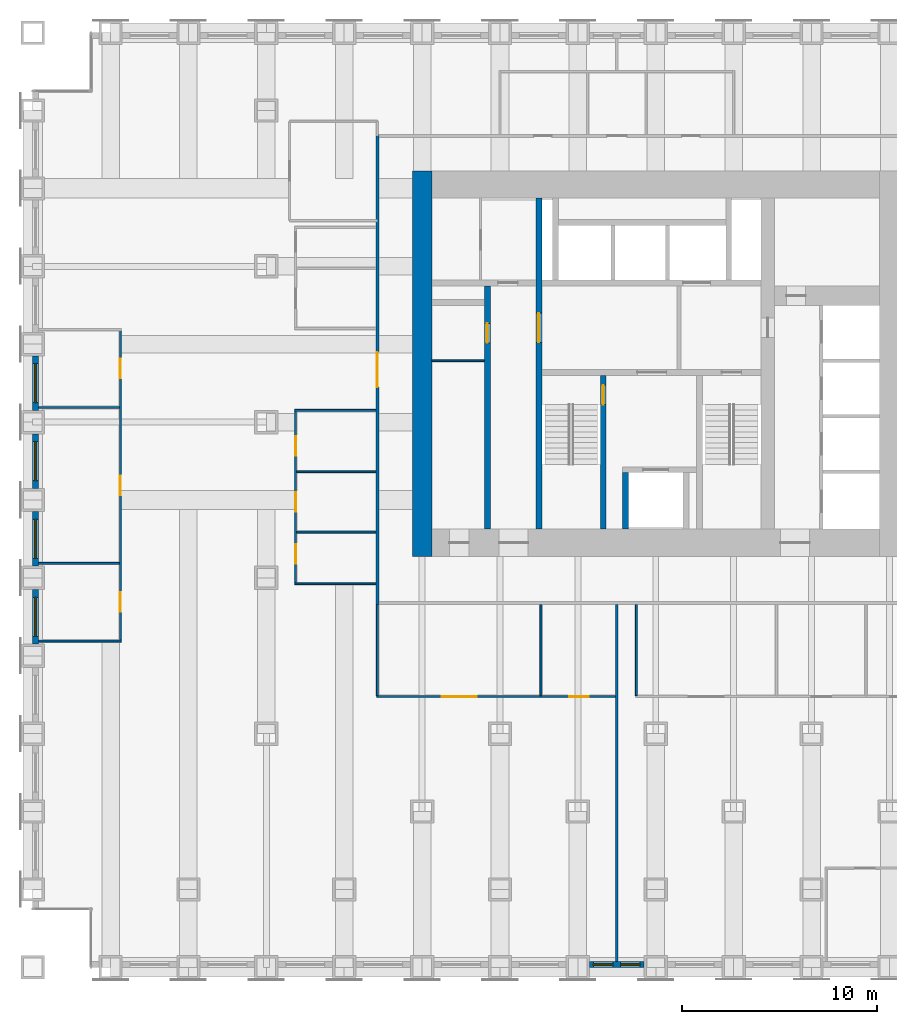
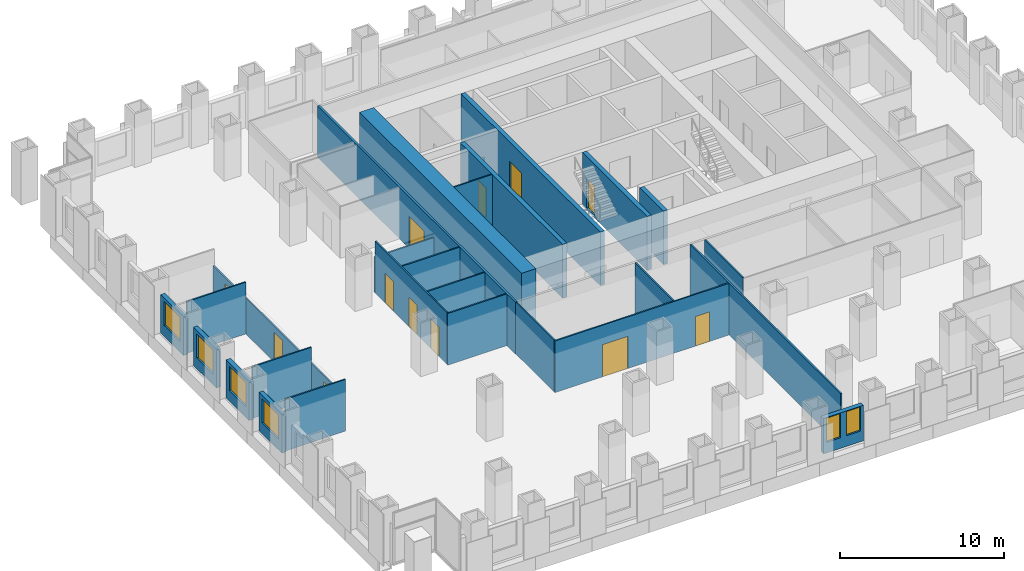
# One storey, part 9 of 15: 26 walls, 12 doors, 6 windows, 18 openings.
"""IFC4 building model written with IfcOpenShell, lengths in metres."""

import ifcopenshell
import ifcopenshell.guid

model = None  # the IFC model being written
_history = None  # IfcOwnerHistory: only IFC2X3 demands one
_inside = {}  # id of a spatial element -> (the spatial element, [elements in it])
_under = {}  # id of a project, library or spatial element -> (it, [spatial elements below it])
_declared = {}  # id of a project -> (the project, [libraries it declares])
_typed = {}  # id of a type object -> (the type object, [elements of that type])
_made_of = {}  # id of a material, layer set ... -> (it, [elements and type objects made of it])


def new_model(schema):
    """Start an empty IFC model of exactly this schema.

    Asked for "IFC4X3", IfcOpenShell would pick the latest addendum, in which some entities
    have other attributes; the version numbers below select the first issue.
    IFC2X3 requires an IfcOwnerHistory on every rooted entity: one is made here for all.
    """
    global model, _history
    if schema == "IFC4X3":
        model = ifcopenshell.file(schema_version=(4, 3, 0, 0))
    else:
        model = ifcopenshell.file(schema=schema)
    _inside.clear()
    _under.clear()
    _declared.clear()
    _typed.clear()
    _made_of.clear()
    _history = None
    if model.schema == "IFC2X3":
        org = make("IfcOrganization", Name="unknown")
        user = make(
            "IfcPersonAndOrganization",
            ThePerson=make("IfcPerson", FamilyName="unknown"),
            TheOrganization=org,
        )
        app = make(
            "IfcApplication",
            ApplicationDeveloper=org,
            Version="unknown",
            ApplicationFullName="unknown",
            ApplicationIdentifier="unknown",
        )
        _history = make(
            "IfcOwnerHistory",
            OwningUser=user,
            OwningApplication=app,
            ChangeAction="ADDED",
            CreationDate=0,
        )
    return model


def make(cls, **values):
    """One entity of the class cls with the attributes given. An attribute that is None is left unset."""
    return model.create_entity(
        cls, **{name: value for name, value in values.items() if value is not None}
    )


def rooted(cls, **values):
    """An entity with a GlobalId (a new one), such as an element, a storey or a relation."""
    return make(cls, GlobalId=ifcopenshell.guid.new(), OwnerHistory=_history, **values)


def si_unit(unit_type, name, prefix=None):
    """IfcSIUnit, for example si_unit("LENGTHUNIT", "METRE", prefix="MILLI")."""
    return make("IfcSIUnit", UnitType=unit_type, Prefix=prefix, Name=name)


def assignment(units):
    """IfcUnitAssignment: the units of a project."""
    return None if units is None else make("IfcUnitAssignment", Units=units)


def point(xyz):
    """IfcCartesianPoint."""
    return None if xyz is None else make("IfcCartesianPoint", Coordinates=xyz)


def direction(xyz):
    """IfcDirection."""
    return None if xyz is None else make("IfcDirection", DirectionRatios=xyz)


def frame(location, z_axis=None, x_axis=None):
    """IfcAxis2Placement3D, a coordinate frame: its origin and axes. An axis left out is left unset."""
    return make(
        "IfcAxis2Placement3D",
        Location=point(location),
        Axis=direction(z_axis),
        RefDirection=direction(x_axis),
    )


def frame_2d(location, x_axis=None):
    """IfcAxis2Placement2D, a coordinate frame in the plane: its origin and x axis."""
    return make(
        "IfcAxis2Placement2D", Location=point(location), RefDirection=direction(x_axis)
    )


def origin():
    """The frame at (0, 0, 0) with its axes left unset."""
    return frame((0.0, 0.0, 0.0))


def place(relative_to, where):
    """IfcLocalPlacement: puts the frame where relative to a parent placement (None: the world)."""
    return make(
        "IfcLocalPlacement", PlacementRelTo=relative_to, RelativePlacement=where
    )


def context(
    kind, dimensions, precision=None, world=None, true_north=None, identifier=None
):
    """IfcGeometricRepresentationContext, for example the 3D "Model" context."""
    return make(
        "IfcGeometricRepresentationContext",
        ContextIdentifier=identifier,
        ContextType=kind,
        CoordinateSpaceDimension=dimensions,
        Precision=precision,
        WorldCoordinateSystem=world,
        TrueNorth=true_north,
    )


def subcontext(parent, identifier, kind, view, scale=None):
    """IfcGeometricRepresentationSubContext, for example "Body" below "Model"."""
    return make(
        "IfcGeometricRepresentationSubContext",
        ContextIdentifier=identifier,
        ContextType=kind,
        ParentContext=parent,
        TargetScale=scale,
        TargetView=view,
    )


def project(units=None, contexts=None):
    """IfcProject with its units and contexts."""
    return rooted(
        "IfcProject",
        Name="project",
        RepresentationContexts=contexts,
        UnitsInContext=assignment(units),
    )


def spatial(cls, under=None, at=None, **own):
    """A site, building, storey or space (cls), placed at a placement, below another one or the project."""
    s = rooted(cls, ObjectPlacement=at, **own)
    if under is not None:
        _under.setdefault(under.id(), (under, []))[1].append(s)
    return s


def profile(cls, at=None, kind="AREA", **sizes):
    """A parametric profile (cls). Its sizes go by their IFC names, for example OverallWidth=200.0."""
    return make(cls, ProfileType=kind, Position=at, **sizes)


def rectangle(**sizes):
    """IfcRectangleProfileDef."""
    return profile("IfcRectangleProfileDef", **sizes)


def extrude(swept, where, along, depth):
    """IfcExtrudedAreaSolid: the profile swept, set in the frame where, extruded along a direction by depth."""
    return make(
        "IfcExtrudedAreaSolid",
        SweptArea=swept,
        Position=where,
        ExtrudedDirection=direction(along),
        Depth=depth,
    )


def shape(context_of_items, identifier, shape_type, items):
    """IfcShapeRepresentation: the items that make up one representation, for example the "Body"."""
    return make(
        "IfcShapeRepresentation",
        ContextOfItems=context_of_items,
        RepresentationIdentifier=identifier,
        RepresentationType=shape_type,
        Items=items,
    )


def material(Name=None, Category=None):
    """IfcMaterial."""
    return make("IfcMaterial", Name=Name, Category=Category)


def layer(
    of_material, thickness, ventilated=None, Name=None, Category=None, Priority=None
):
    """IfcMaterialLayer: one layer of a wall or slab, of a material (None: an air gap)."""
    return make(
        "IfcMaterialLayer",
        Material=of_material,
        LayerThickness=thickness,
        IsVentilated=ventilated,
        Name=Name,
        Category=Category,
        Priority=Priority,
    )


def layer_set(layers, Name=None):
    """IfcMaterialLayerSet."""
    return make("IfcMaterialLayerSet", MaterialLayers=layers, LayerSetName=Name)


def made_of(thing, what):
    """Note that an element or type object is made of a material, layer set ...; save() writes the relation."""
    if what is not None:
        _made_of.setdefault(what.id(), (what, []))[1].append(thing)
    return thing


def type_object(cls, material=None, **own):
    """A type object (cls), such as IfcWallType, which elements share."""
    return made_of(rooted(cls, **own), material)


def element(
    cls,
    number,
    at=None,
    inside=None,
    cuts=None,
    type_object=None,
    material=None,
    context=None,
    identifier="Body",
    shape_type=None,
    held_by="IfcProductDefinitionShape",
    body=None,
    shapes=None,
    **own,
):
    """One element of the class cls, such as IfcWall. Its Tag is "e" and its number.

    at: its placement. inside: the storey or other place that contains it. cuts: it is an
    opening in that element (IfcRelVoidsElement). A single representation is given by context,
    identifier, shape_type and body (its items); several are given by shapes. held_by: the class
    of the entity that holds the representations. save() writes the other relations.
    """
    e = rooted(cls, Tag="e%d" % number, ObjectPlacement=at, **own)
    if body is not None:
        shapes = [shape(context, identifier, shape_type, body)]
    if shapes is not None:
        e.Representation = make(held_by, Representations=shapes)
    if inside is not None:
        _inside.setdefault(inside.id(), (inside, []))[1].append(e)
    if cuts is not None:
        rooted(
            "IfcRelVoidsElement", RelatingBuildingElement=cuts, RelatedOpeningElement=e
        )
    if type_object is not None:
        _typed.setdefault(type_object.id(), (type_object, []))[1].append(e)
    return made_of(e, material)


def fill(opening, filler):
    """IfcRelFillsElement: the door or window that sits in an opening."""
    return rooted(
        "IfcRelFillsElement",
        RelatingOpeningElement=opening,
        RelatedBuildingElement=filler,
    )


def aggregate(whole, parts):
    """IfcRelAggregates: a whole, such as a stair, and the parts it consists of."""
    return rooted("IfcRelAggregates", RelatingObject=whole, RelatedObjects=parts)


def save(model, path):
    """Write the relations noted so far, then the file.

    IfcRelAggregates (storeys below a building ...), IfcRelContainedInSpatialStructure (elements
    in a storey), IfcRelDefinesByType, IfcRelAssociatesMaterial and IfcRelDeclares: one each for
    every whole, place, type object, material and project.
    """
    for whole, parts in _under.values():
        aggregate(whole, parts)
    for where, things in _inside.values():
        rooted(
            "IfcRelContainedInSpatialStructure",
            RelatedElements=things,
            RelatingStructure=where,
        )
    for kind, things in _typed.values():
        rooted("IfcRelDefinesByType", RelatedObjects=things, RelatingType=kind)
    for what, things in _made_of.values():
        rooted("IfcRelAssociatesMaterial", RelatedObjects=things, RelatingMaterial=what)
    for by, libraries in _declared.values():
        rooted("IfcRelDeclares", RelatingContext=by, RelatedDefinitions=libraries)
    model.write(path)


model = new_model("IFC4")

# Units and contexts
model_context = context("Model", 3, precision=1e-05, world=origin(), true_north=direction((0.0, 1.0)))
body_context = subcontext(model_context, "Body", "Model", "MODEL_VIEW")
ifc_project = project(units=[si_unit("LENGTHUNIT", "METRE"), si_unit("AREAUNIT", "SQUARE_METRE"), si_unit("VOLUMEUNIT", "CUBIC_METRE"), si_unit("PLANEANGLEUNIT", "RADIAN"), si_unit("MASSUNIT", "GRAM", prefix="KILO")], contexts=[model_context])

# Site, building, storey
site_placement = place(None, origin())
site = spatial("IfcSite", under=ifc_project, at=site_placement, CompositionType="ELEMENT")
building_placement = place(site_placement, origin())
building = spatial("IfcBuilding", under=site, at=building_placement, Name="Rimbunsela Tower", CompositionType="ELEMENT")
storey_placement = place(building_placement, frame((0.0, 0.0, 39.0)))
storey = spatial("IfcBuildingStorey", under=building, at=storey_placement, Name="L09", CompositionType="ELEMENT", Elevation=39.0)

# Wall, opening, door
ifc_material_1 = material(Name="Concrete fc' 80 MPa", Category="concrete")
ifc_layer_1 = layer(ifc_material_1, 0.300048828125)
ifc_layer_set_1 = layer_set([ifc_layer_1], Name="Core internal wall 300")
wall_type_1 = type_object("IfcWallType", Name="Core internal wall 300", PredefinedType="SHEAR", material=ifc_layer_set_1)
wall_1_placement = place(storey_placement, frame((24.0, 18.5, -0.14990234375), z_axis=(0.0, 0.0, 1.0), x_axis=(0.0, 1.0, 0.0)))
wall_1 = element("IfcWall", 1, at=wall_1_placement, inside=storey, type_object=wall_type_1, Name="Core wall at stair A", PredefinedType="SHEAR", context=body_context, shape_type="SweptSolid", body=[
    extrude(rectangle(XDim=17.0, YDim=0.300048828125, at=frame_2d((8.5, 0.0))), origin(), (0.0, 0.0, 1.0), 4.0),
])
opening_1_placement = place(wall_1_placement, frame((9.60009765625, 0.0, 0.14990234375)))
opening_1 = element("IfcOpeningElement", 2, at=opening_1_placement, cuts=wall_1, Name="Opening D03", PredefinedType="OPENING", context=body_context, shape_type="SweptSolid", body=[
    extrude(rectangle(XDim=1.5, YDim=2.39990234375, at=frame_2d((0.75, 1.199951171875))), frame((0.0, 0.159912109375, 0.0), z_axis=(0.0, -1.0, 0.0), x_axis=(1.0, 0.0, 0.0)), (0.0, 0.0, 1.0), 0.320068359375),
])
ifc_material_2 = material(Name="Steel door, fire rated", Category="steel")
door_type_1 = type_object("IfcDoorType", Name="Core lobby door 1500", OperationType="DOUBLE_DOOR_DOUBLE_SWING", PredefinedType="DOOR", material=ifc_material_2)
door_1_placement = place(opening_1_placement, origin())
door_1 = element("IfcDoor", 3, at=door_1_placement, inside=storey, type_object=door_type_1, Name="West lobby door", OperationType="DOUBLE_DOOR_DOUBLE_SWING", OverallHeight=2.39990234375, OverallWidth=1.5, PredefinedType="DOOR", context=body_context, shape_type="SweptSolid", body=[
    extrude(rectangle(XDim=1.5, YDim=2.39990234375, at=frame_2d((0.75, 1.199951171875))), frame((0.0, 0.02490234375, 0.0), z_axis=(0.0, -1.0, 0.0), x_axis=(1.0, 0.0, 0.0)), (0.0, 0.0, 1.0), 0.050048828125),
])
fill(opening_1, door_1)

wall_2_placement = place(storey_placement, frame((27.300048828125, 18.5, -0.14990234375), z_axis=(0.0, 0.0, 1.0), x_axis=(0.0, 1.0, 0.0)))
wall_2 = element("IfcWall", 4, at=wall_2_placement, inside=storey, type_object=wall_type_1, Name="Stair A enclosure", PredefinedType="SHEAR", context=body_context, shape_type="SweptSolid", body=[
    extrude(rectangle(XDim=7.89990234375, YDim=0.300048828125, at=frame_2d((3.949951171875, 0.0))), origin(), (0.0, 0.0, 1.0), 4.0),
])
opening_2_placement = place(wall_2_placement, frame((6.39990234375, 0.0, 0.14990234375)))
opening_2 = element("IfcOpeningElement", 5, at=opening_2_placement, cuts=wall_2, Name="Opening D01", PredefinedType="OPENING", context=body_context, shape_type="SweptSolid", body=[
    extrude(rectangle(XDim=1.0, YDim=2.199951171875, at=frame_2d((0.5, 1.10009765625))), frame((0.0, 0.159912109375, 0.0), z_axis=(0.0, -1.0, 0.0), x_axis=(1.0, 0.0, 0.0)), (0.0, 0.0, 1.0), 0.320068359375),
])
ifc_material_3 = material(Name="Steel door, fire rated", Category="steel")
door_type_2 = type_object("IfcDoorType", Name="Stair door 1000", OperationType="SINGLE_SWING_RIGHT", PredefinedType="DOOR", material=ifc_material_3)
door_2_placement = place(opening_2_placement, origin())
door_2 = element("IfcDoor", 6, at=door_2_placement, inside=storey, type_object=door_type_2, Name="Stair A door", OperationType="SINGLE_SWING_RIGHT", OverallHeight=2.199951171875, OverallWidth=1.0, PredefinedType="DOOR", context=body_context, shape_type="SweptSolid", body=[
    extrude(rectangle(XDim=1.0, YDim=2.199951171875, at=frame_2d((0.5, 1.10009765625))), frame((0.0, 0.02490234375, 0.0), z_axis=(0.0, -1.0, 0.0), x_axis=(1.0, 0.0, 0.0)), (0.0, 0.0, 1.0), 0.050048828125),
])
fill(opening_2, door_2)

# Wall
wall_3_placement = place(storey_placement, frame((28.449951171875, 18.5, -0.14990234375), z_axis=(0.0, 0.0, 1.0), x_axis=(0.0, 1.0, 0.0)))
element("IfcWall", 7, at=wall_3_placement, inside=storey, type_object=wall_type_1, Name="Firefighting lift shaft west", PredefinedType="SHEAR", context=body_context, shape_type="SweptSolid", body=[
    extrude(rectangle(XDim=2.89990234375, YDim=0.300048828125, at=frame_2d((1.449951171875, 0.0))), origin(), (0.0, 0.0, 1.0), 4.0),
])

# Wall, opening, door
wall_4_placement = place(storey_placement, frame((21.35009765625, 18.5, -0.14990234375), z_axis=(0.0, 0.0, 1.0), x_axis=(0.0, 1.0, 0.0)))
wall_4 = element("IfcWall", 8, at=wall_4_placement, inside=storey, type_object=wall_type_1, Name="Lift shaft front west", PredefinedType="SHEAR", context=body_context, shape_type="SweptSolid", body=[
    extrude(rectangle(XDim=12.5, YDim=0.300048828125, at=frame_2d((6.25, 0.0))), origin(), (0.0, 0.0, 1.0), 4.0),
])
opening_3_placement = place(wall_4_placement, frame((9.574951171875, 0.0, 0.14990234375)))
opening_3 = element("IfcOpeningElement", 9, at=opening_3_placement, cuts=wall_4, Name="Opening D19", PredefinedType="OPENING", context=body_context, shape_type="SweptSolid", body=[
    extrude(rectangle(XDim=1.0, YDim=2.199951171875, at=frame_2d((0.5, 1.10009765625))), frame((0.0, 0.159912109375, 0.0), z_axis=(0.0, -1.0, 0.0), x_axis=(1.0, 0.0, 0.0)), (0.0, 0.0, 1.0), 0.320068359375),
])
ifc_material_4 = material(Name="Steel door, fire rated", Category="steel")
door_type_3 = type_object("IfcDoorType", Name="Service door 1000 fire rated", OperationType="SINGLE_SWING_LEFT", PredefinedType="DOOR", material=ifc_material_4)
door_3_placement = place(opening_3_placement, origin())
door_3 = element("IfcDoor", 10, at=door_3_placement, inside=storey, type_object=door_type_3, Name="Tenant store door", OperationType="SINGLE_SWING_LEFT", OverallHeight=2.199951171875, OverallWidth=1.0, PredefinedType="DOOR", context=body_context, shape_type="SweptSolid", body=[
    extrude(rectangle(XDim=1.0, YDim=2.199951171875, at=frame_2d((0.5, 1.10009765625))), frame((0.0, 0.02490234375, 0.0), z_axis=(0.0, -1.0, 0.0), x_axis=(1.0, 0.0, 0.0)), (0.0, 0.0, 1.0), 0.050048828125),
])
fill(opening_3, door_3)

# Walls
ifc_material_5 = material(Name="Concrete blockwork", Category="masonry")
ifc_layer_2 = layer(ifc_material_5, 0.10009765625)
ifc_layer_set_2 = layer_set([ifc_layer_2], Name="Core room partition 100")
wall_type_2 = type_object("IfcWallType", Name="Core room partition 100", PredefinedType="PARTITIONING", material=ifc_layer_set_2)
wall_5_placement = place(storey_placement, frame((18.5, 27.14990234375, 0.0), z_axis=(0.0, 0.0, 1.0), x_axis=(1.0, 0.0, 0.0)))
element("IfcWall", 11, at=wall_5_placement, inside=storey, type_object=wall_type_2, Name="Tenant store wall", PredefinedType="PARTITIONING", context=body_context, shape_type="SweptSolid", body=[
    extrude(rectangle(XDim=2.699951171875, YDim=0.10009765625, at=frame_2d((1.35009765625, 0.0))), origin(), (0.0, 0.0, 1.0), 3.85009765625),
])
ifc_material_6 = material(Name="Concrete fc' 80 MPa", Category="concrete")
ifc_layer_3 = layer(ifc_material_6, 1.0)
ifc_layer_set_3 = layer_set([ifc_layer_3], Name="Core wall 1000")
wall_type_3 = type_object("IfcWallType", Name="Core wall 1000", PredefinedType="SHEAR", material=ifc_layer_set_3)
wall_6_placement = place(storey_placement, frame((18.0, 17.10009765625, -0.14990234375), z_axis=(0.0, 0.0, 1.0), x_axis=(0.0, 1.0, 0.0)))
element("IfcWall", 12, at=wall_6_placement, inside=storey, type_object=wall_type_3, Name="Core wall west", PredefinedType="SHEAR", context=body_context, shape_type="SweptSolid", body=[
    extrude(rectangle(XDim=19.7998046875, YDim=1.0, at=frame_2d((9.89990234375, 0.0))), origin(), (0.0, 0.0, 1.0), 4.0),
])

# Wall, openings, doors
ifc_material_7 = material(Name="Gypsum board on steel studs", Category="steel")
ifc_layer_4 = layer(ifc_material_7, 0.10009765625)
ifc_layer_set_4 = layer_set([ifc_layer_4], Name="Office partition 100")
wall_type_4 = type_object("IfcWallType", Name="Office partition 100", PredefinedType="PARTITIONING", material=ifc_layer_set_4)
wall_7_placement = place(storey_placement, frame((15.64990234375, 9.89990234375, 0.0), z_axis=(0.0, 0.0, 1.0), x_axis=(1.0, 0.0, 0.0)))
wall_7 = element("IfcWall", 13, at=wall_7_placement, inside=storey, type_object=wall_type_4, Name="Office partition", PredefinedType="PARTITIONING", context=body_context, shape_type="SweptSolid", body=[
    extrude(rectangle(XDim=12.2890625, YDim=0.10009765625, at=frame_2d((6.14453125, 0.0))), origin(), (0.0, 0.0, 1.0), 3.85009765625),
])
opening_4_placement = place(wall_7_placement, frame((3.35009765625, 0.0, 0.0)))
opening_4 = element("IfcOpeningElement", 14, at=opening_4_placement, cuts=wall_7, Name="Opening D18", PredefinedType="OPENING", context=body_context, shape_type="SweptSolid", body=[
    extrude(rectangle(XDim=1.800048828125, YDim=2.39990234375, at=frame_2d((0.89990234375, 1.199951171875))), frame((0.0, 0.06005859375, 0.0), z_axis=(0.0, -1.0, 0.0), x_axis=(1.0, 0.0, 0.0)), (0.0, 0.0, 1.0), 0.1201171875),
])
opening_5_placement = place(wall_7_placement, frame((9.8994140625, 0.0, 0.0)))
opening_5 = element("IfcOpeningElement", 15, at=opening_5_placement, cuts=wall_7, Name="Opening D16", PredefinedType="OPENING", context=body_context, shape_type="SweptSolid", body=[
    extrude(rectangle(XDim=1.0, YDim=2.199951171875, at=frame_2d((0.5, 1.10009765625))), frame((0.0, 0.06005859375, 0.0), z_axis=(0.0, -1.0, 0.0), x_axis=(1.0, 0.0, 0.0)), (0.0, 0.0, 1.0), 0.1201171875),
])
ifc_material_8 = material(Name="Glazed aluminium door", Category="aluminium")
door_type_4 = type_object("IfcDoorType", Name="Boardroom door 1800 glazed", OperationType="DOUBLE_DOOR_DOUBLE_SWING", PredefinedType="DOOR", material=ifc_material_8)
door_4_placement = place(opening_4_placement, origin())
door_4 = element("IfcDoor", 16, at=door_4_placement, inside=storey, type_object=door_type_4, Name="Boardroom door", OperationType="DOUBLE_DOOR_DOUBLE_SWING", OverallHeight=2.39990234375, OverallWidth=1.800048828125, PredefinedType="DOOR", context=body_context, shape_type="SweptSolid", body=[
    extrude(rectangle(XDim=1.800048828125, YDim=2.39990234375, at=frame_2d((0.89990234375, 1.199951171875))), frame((0.0, 0.02490234375, 0.0), z_axis=(0.0, -1.0, 0.0), x_axis=(1.0, 0.0, 0.0)), (0.0, 0.0, 1.0), 0.050048828125),
])
fill(opening_4, door_4)
ifc_material_9 = material(Name="Timber door", Category="wood")
door_type_5 = type_object("IfcDoorType", Name="Office door 1000", OperationType="SINGLE_SWING_LEFT", PredefinedType="DOOR", material=ifc_material_9)
door_5_placement = place(opening_5_placement, origin())
door_5 = element("IfcDoor", 17, at=door_5_placement, inside=storey, type_object=door_type_5, Name="Office door", OperationType="SINGLE_SWING_LEFT", OverallHeight=2.199951171875, OverallWidth=1.0, PredefinedType="DOOR", context=body_context, shape_type="SweptSolid", body=[
    extrude(rectangle(XDim=1.0, YDim=2.199951171875, at=frame_2d((0.5, 1.10009765625))), frame((0.0, 0.02490234375, 0.0), z_axis=(0.0, -1.0, 0.0), x_axis=(1.0, 0.0, 0.0)), (0.0, 0.0, 1.0), 0.050048828125),
])
fill(opening_5, door_5)

# Walls
wall_8_placement = place(storey_placement, frame((-1.699951171875, 12.75, 0.0), z_axis=(0.0, 0.0, 1.0), x_axis=(1.0, 0.0, 0.0)))
element("IfcWall", 18, at=wall_8_placement, inside=storey, type_object=wall_type_4, Name="Office partition", PredefinedType="PARTITIONING", context=body_context, shape_type="SweptSolid", body=[
    extrude(rectangle(XDim=4.25, YDim=0.10009765625, at=frame_2d((2.125, 0.0))), origin(), (0.0, 0.0, 1.0), 3.85009765625),
])
wall_9_placement = place(storey_placement, frame((11.449951171875, 15.699951171875, 0.0), z_axis=(0.0, 0.0, 1.0), x_axis=(1.0, 0.0, 0.0)))
element("IfcWall", 19, at=wall_9_placement, inside=storey, type_object=wall_type_4, Name="Office partition", PredefinedType="PARTITIONING", context=body_context, shape_type="SweptSolid", body=[
    extrude(rectangle(XDim=4.175048828125, YDim=0.10009765625, at=frame_2d((2.08740234375, 0.0))), origin(), (0.0, 0.0, 1.0), 3.85009765625),
])
wall_10_placement = place(storey_placement, frame((-1.699951171875, 16.75, 0.0), z_axis=(0.0, 0.0, 1.0), x_axis=(1.0, 0.0, 0.0)))
element("IfcWall", 20, at=wall_10_placement, inside=storey, type_object=wall_type_4, Name="Office partition", PredefinedType="PARTITIONING", context=body_context, shape_type="SweptSolid", body=[
    extrude(rectangle(XDim=4.14990234375, YDim=0.10009765625, at=frame_2d((2.074951171875, 0.0))), origin(), (0.0, 0.0, 1.0), 3.85009765625),
])
for number, where, z_axis, x_axis, name in (
    (21, (11.550048828125, 18.35009765625, 0.0), (0.0, 0.0, 1.0), (1.0, 0.0, 0.0), "Office partition"),
    (22, (11.550048828125, 21.449951171875, 0.0), (0.0, 0.0, 1.0), (1.0, 0.0, 0.0), "Office partition"),
):
    element("IfcWall", number, at=place(storey_placement, frame(where, z_axis=z_axis, x_axis=x_axis)), inside=storey, type_object=wall_type_4, Name=name, PredefinedType="PARTITIONING", context=body_context, shape_type="SweptSolid", body=[
        extrude(rectangle(XDim=4.074951171875, YDim=0.10009765625, at=frame_2d((2.03759765625, 0.0))), origin(), (0.0, 0.0, 1.0), 3.85009765625),
    ])
wall_11_placement = place(storey_placement, frame((11.449951171875, 24.60009765625, 0.0), z_axis=(0.0, 0.0, 1.0), x_axis=(1.0, 0.0, 0.0)))
element("IfcWall", 23, at=wall_11_placement, inside=storey, type_object=wall_type_4, Name="Office partition", PredefinedType="PARTITIONING", context=body_context, shape_type="SweptSolid", body=[
    extrude(rectangle(XDim=4.175048828125, YDim=0.10009765625, at=frame_2d((2.08740234375, 0.0))), origin(), (0.0, 0.0, 1.0), 2.64990234375),
])
wall_12_placement = place(storey_placement, frame((-1.699951171875, 24.75, 0.0), z_axis=(0.0, 0.0, 1.0), x_axis=(1.0, 0.0, 0.0)))
element("IfcWall", 24, at=wall_12_placement, inside=storey, type_object=wall_type_4, Name="Office partition", PredefinedType="PARTITIONING", context=body_context, shape_type="SweptSolid", body=[
    extrude(rectangle(XDim=4.14990234375, YDim=0.10009765625, at=frame_2d((2.074951171875, 0.0))), origin(), (0.0, 0.0, 1.0), 3.85009765625),
])

# Wall, openings, doors
wall_13_placement = place(storey_placement, frame((2.5, 12.800048828125, 0.0), z_axis=(0.0, 0.0, 1.0), x_axis=(0.0, 1.0, 0.0)))
wall_13 = element("IfcWall", 25, at=wall_13_placement, inside=storey, type_object=wall_type_4, Name="Office partition", PredefinedType="PARTITIONING", context=body_context, shape_type="SweptSolid", body=[
    extrude(rectangle(XDim=15.89990234375, YDim=0.10009765625, at=frame_2d((7.949951171875, 0.0))), origin(), (0.0, 0.0, 1.0), 2.64990234375),
])
opening_6_placement = place(wall_13_placement, frame((1.449951171875, 0.0, 0.0)))
opening_6 = element("IfcOpeningElement", 26, at=opening_6_placement, cuts=wall_13, Name="Opening D16", PredefinedType="OPENING", context=body_context, shape_type="SweptSolid", body=[
    extrude(rectangle(XDim=1.0, YDim=2.199951171875, at=frame_2d((0.5, 1.10009765625))), frame((0.0, 0.06005859375, 0.0), z_axis=(0.0, -1.0, 0.0), x_axis=(1.0, 0.0, 0.0)), (0.0, 0.0, 1.0), 0.1201171875),
])
opening_7_placement = place(wall_13_placement, frame((7.449951171875, 0.0, 0.0)))
opening_7 = element("IfcOpeningElement", 27, at=opening_7_placement, cuts=wall_13, Name="Opening D16", PredefinedType="OPENING", context=body_context, shape_type="SweptSolid", body=[
    extrude(rectangle(XDim=1.0, YDim=2.199951171875, at=frame_2d((0.5, 1.10009765625))), frame((0.0, 0.06005859375, 0.0), z_axis=(0.0, -1.0, 0.0), x_axis=(1.0, 0.0, 0.0)), (0.0, 0.0, 1.0), 0.1201171875),
])
opening_8_placement = place(wall_13_placement, frame((13.449951171875, 0.0, 0.0)))
opening_8 = element("IfcOpeningElement", 28, at=opening_8_placement, cuts=wall_13, Name="Opening D16", PredefinedType="OPENING", context=body_context, shape_type="SweptSolid", body=[
    extrude(rectangle(XDim=1.0, YDim=2.199951171875, at=frame_2d((0.5, 1.10009765625))), frame((0.0, 0.06005859375, 0.0), z_axis=(0.0, -1.0, 0.0), x_axis=(1.0, 0.0, 0.0)), (0.0, 0.0, 1.0), 0.1201171875),
])
door_6_placement = place(opening_6_placement, origin())
door_6 = element("IfcDoor", 29, at=door_6_placement, inside=storey, type_object=door_type_5, Name="Office door", OperationType="SINGLE_SWING_LEFT", OverallHeight=2.199951171875, OverallWidth=1.0, PredefinedType="DOOR", context=body_context, shape_type="SweptSolid", body=[
    extrude(rectangle(XDim=1.0, YDim=2.199951171875, at=frame_2d((0.5, 1.10009765625))), frame((0.0, 0.02490234375, 0.0), z_axis=(0.0, -1.0, 0.0), x_axis=(1.0, 0.0, 0.0)), (0.0, 0.0, 1.0), 0.050048828125),
])
fill(opening_6, door_6)
door_7_placement = place(opening_7_placement, origin())
door_7 = element("IfcDoor", 30, at=door_7_placement, inside=storey, type_object=door_type_5, Name="Office door", OperationType="SINGLE_SWING_LEFT", OverallHeight=2.199951171875, OverallWidth=1.0, PredefinedType="DOOR", context=body_context, shape_type="SweptSolid", body=[
    extrude(rectangle(XDim=1.0, YDim=2.199951171875, at=frame_2d((0.5, 1.10009765625))), frame((0.0, 0.02490234375, 0.0), z_axis=(0.0, -1.0, 0.0), x_axis=(1.0, 0.0, 0.0)), (0.0, 0.0, 1.0), 0.050048828125),
])
fill(opening_7, door_7)
door_8_placement = place(opening_8_placement, origin())
door_8 = element("IfcDoor", 31, at=door_8_placement, inside=storey, type_object=door_type_5, Name="Office door", OperationType="SINGLE_SWING_LEFT", OverallHeight=2.199951171875, OverallWidth=1.0, PredefinedType="DOOR", context=body_context, shape_type="SweptSolid", body=[
    extrude(rectangle(XDim=1.0, YDim=2.199951171875, at=frame_2d((0.5, 1.10009765625))), frame((0.0, 0.02490234375, 0.0), z_axis=(0.0, -1.0, 0.0), x_axis=(1.0, 0.0, 0.0)), (0.0, 0.0, 1.0), 0.050048828125),
])
fill(opening_8, door_8)

wall_14_placement = place(storey_placement, frame((11.5, 15.75, 0.0), z_axis=(0.0, 0.0, 1.0), x_axis=(0.0, 1.0, 0.0)))
wall_14 = element("IfcWall", 32, at=wall_14_placement, inside=storey, type_object=wall_type_4, Name="Office partition", PredefinedType="PARTITIONING", context=body_context, shape_type="SweptSolid", body=[
    extrude(rectangle(XDim=8.800048828125, YDim=0.10009765625, at=frame_2d((4.39990234375, 0.0))), origin(), (0.0, 0.0, 1.0), 3.85009765625),
])
opening_9_placement = place(wall_14_placement, frame((0.97509765625, 0.0, 0.0)))
opening_9 = element("IfcOpeningElement", 33, at=opening_9_placement, cuts=wall_14, Name="Opening D16", PredefinedType="OPENING", context=body_context, shape_type="SweptSolid", body=[
    extrude(rectangle(XDim=1.0, YDim=2.199951171875, at=frame_2d((0.5, 1.10009765625))), frame((0.0, 0.06005859375, 0.0), z_axis=(0.0, -1.0, 0.0), x_axis=(1.0, 0.0, 0.0)), (0.0, 0.0, 1.0), 0.1201171875),
])
opening_10_placement = place(wall_14_placement, frame((3.64990234375, 0.0, 0.0)))
opening_10 = element("IfcOpeningElement", 34, at=opening_10_placement, cuts=wall_14, Name="Opening D16", PredefinedType="OPENING", context=body_context, shape_type="SweptSolid", body=[
    extrude(rectangle(XDim=1.0, YDim=2.199951171875, at=frame_2d((0.5, 1.10009765625))), frame((0.0, 0.06005859375, 0.0), z_axis=(0.0, -1.0, 0.0), x_axis=(1.0, 0.0, 0.0)), (0.0, 0.0, 1.0), 0.1201171875),
])
opening_11_placement = place(wall_14_placement, frame((6.52490234375, 0.0, 0.0)))
opening_11 = element("IfcOpeningElement", 35, at=opening_11_placement, cuts=wall_14, Name="Opening D16", PredefinedType="OPENING", context=body_context, shape_type="SweptSolid", body=[
    extrude(rectangle(XDim=1.0, YDim=2.199951171875, at=frame_2d((0.5, 1.10009765625))), frame((0.0, 0.06005859375, 0.0), z_axis=(0.0, -1.0, 0.0), x_axis=(1.0, 0.0, 0.0)), (0.0, 0.0, 1.0), 0.1201171875),
])
door_9_placement = place(opening_9_placement, origin())
door_9 = element("IfcDoor", 36, at=door_9_placement, inside=storey, type_object=door_type_5, Name="Office door", OperationType="SINGLE_SWING_LEFT", OverallHeight=2.199951171875, OverallWidth=1.0, PredefinedType="DOOR", context=body_context, shape_type="SweptSolid", body=[
    extrude(rectangle(XDim=1.0, YDim=2.199951171875, at=frame_2d((0.5, 1.10009765625))), frame((0.0, 0.02490234375, 0.0), z_axis=(0.0, -1.0, 0.0), x_axis=(1.0, 0.0, 0.0)), (0.0, 0.0, 1.0), 0.050048828125),
])
fill(opening_9, door_9)
door_10_placement = place(opening_10_placement, origin())
door_10 = element("IfcDoor", 37, at=door_10_placement, inside=storey, type_object=door_type_5, Name="Office door", OperationType="SINGLE_SWING_LEFT", OverallHeight=2.199951171875, OverallWidth=1.0, PredefinedType="DOOR", context=body_context, shape_type="SweptSolid", body=[
    extrude(rectangle(XDim=1.0, YDim=2.199951171875, at=frame_2d((0.5, 1.10009765625))), frame((0.0, 0.02490234375, 0.0), z_axis=(0.0, -1.0, 0.0), x_axis=(1.0, 0.0, 0.0)), (0.0, 0.0, 1.0), 0.050048828125),
])
fill(opening_10, door_10)
door_11_placement = place(opening_11_placement, origin())
door_11 = element("IfcDoor", 38, at=door_11_placement, inside=storey, type_object=door_type_5, Name="Office door", OperationType="SINGLE_SWING_LEFT", OverallHeight=2.199951171875, OverallWidth=1.0, PredefinedType="DOOR", context=body_context, shape_type="SweptSolid", body=[
    extrude(rectangle(XDim=1.0, YDim=2.199951171875, at=frame_2d((0.5, 1.10009765625))), frame((0.0, 0.02490234375, 0.0), z_axis=(0.0, -1.0, 0.0), x_axis=(1.0, 0.0, 0.0)), (0.0, 0.0, 1.0), 0.050048828125),
])
fill(opening_11, door_11)

# Walls
for number, where, z_axis, x_axis, name in (
    (39, (15.699951171875, 9.949951171875, 0.0), (0.0, 0.0, 1.0), (0.0, 1.0, 0.0), "Office partition"),
    (40, (24.10009765625, 9.949951171875, 0.0), (0.0, 0.0, 1.0), (0.0, 1.0, 0.0), "Office partition"),
    (41, (28.9990234375, 9.949951171875, 0.0), (0.0, 0.0, 1.0), (0.0, 1.0, 0.0), "Office partition"),
):
    element("IfcWall", number, at=place(storey_placement, frame(where, z_axis=z_axis, x_axis=x_axis)), inside=storey, type_object=wall_type_4, Name=name, PredefinedType="PARTITIONING", context=body_context, shape_type="SweptSolid", body=[
        extrude(rectangle(XDim=4.675048828125, YDim=0.10009765625, at=frame_2d((2.33740234375, 0.0))), origin(), (0.0, 0.0, 1.0), 3.85009765625),
    ])

# Wall, openings, windows
ifc_material_10 = material(Name="Precast concrete fc' 35 MPa", Category="concrete")
ifc_layer_5 = layer(ifc_material_10, 0.300048828125)
ifc_layer_set_5 = layer_set([ifc_layer_5], Name="Precast concrete fc' 35 MPa")
wall_type_5 = type_object("IfcWallType", Name="Precast facade panel 300", PredefinedType="ELEMENTEDWALL", material=ifc_layer_set_5)
wall_15_placement = place(storey_placement, frame((26.60009765625, -3.85009765625, 0.0), z_axis=(0.0, 0.0, 1.0), x_axis=(1.0, 0.0, 0.0)))
wall_15 = element("IfcWall", 42, at=wall_15_placement, inside=storey, type_object=wall_type_5, Name="Facade panel S L09", PredefinedType="ELEMENTEDWALL", context=body_context, shape_type="SweptSolid", body=[
    extrude(rectangle(XDim=2.7998046875, YDim=0.300048828125, at=frame_2d((1.39990234375, 0.0))), origin(), (0.0, 0.0, 1.0), 2.64990234375),
])
opening_12_placement = place(wall_15_placement, frame((0.199951171875, 0.0, 0.800048828125)))
opening_12 = element("IfcOpeningElement", 43, at=opening_12_placement, cuts=wall_15, Name="Opening W8", PredefinedType="OPENING", context=body_context, shape_type="SweptSolid", body=[
    extrude(rectangle(XDim=1.0, YDim=1.800048828125, at=frame_2d((0.5, 0.89990234375))), frame((0.0, 0.159912109375, 0.0), z_axis=(0.0, -1.0, 0.0), x_axis=(1.0, 0.0, 0.0)), (0.0, 0.0, 1.0), 0.320068359375),
])
opening_13_placement = place(wall_15_placement, frame((1.60009765625, 0.0, 0.800048828125)))
opening_13 = element("IfcOpeningElement", 44, at=opening_13_placement, cuts=wall_15, Name="Opening W8", PredefinedType="OPENING", context=body_context, shape_type="SweptSolid", body=[
    extrude(rectangle(XDim=1.0, YDim=1.800048828125, at=frame_2d((0.5, 0.89990234375))), frame((0.0, 0.159912109375, 0.0), z_axis=(0.0, -1.0, 0.0), x_axis=(1.0, 0.0, 0.0)), (0.0, 0.0, 1.0), 0.320068359375),
])
ifc_material_11 = material(Name="Clear glass in aluminium frame", Category="aluminium")
window_type_1 = type_object("IfcWindowType", Name="Window W8 1000x1800", PartitioningType="SINGLE_PANEL", PredefinedType="WINDOW", material=ifc_material_11)
window_1_placement = place(opening_12_placement, origin())
window_1 = element("IfcWindow", 45, at=window_1_placement, inside=storey, type_object=window_type_1, Name="Window L09", OverallHeight=1.800048828125, OverallWidth=1.0, PartitioningType="SINGLE_PANEL", PredefinedType="WINDOW", context=body_context, shape_type="SweptSolid", body=[
    extrude(rectangle(XDim=1.0, YDim=1.800048828125, at=frame_2d((0.5, 0.89990234375))), frame((0.0, 0.030029296875, 0.0), z_axis=(0.0, -1.0, 0.0), x_axis=(1.0, 0.0, 0.0)), (0.0, 0.0, 1.0), 0.06005859375),
])
fill(opening_12, window_1)
window_2_placement = place(opening_13_placement, origin())
window_2 = element("IfcWindow", 46, at=window_2_placement, inside=storey, type_object=window_type_1, Name="Window L09", OverallHeight=1.800048828125, OverallWidth=1.0, PartitioningType="SINGLE_PANEL", PredefinedType="WINDOW", context=body_context, shape_type="SweptSolid", body=[
    extrude(rectangle(XDim=1.0, YDim=1.800048828125, at=frame_2d((0.5, 0.89990234375))), frame((0.0, 0.030029296875, 0.0), z_axis=(0.0, -1.0, 0.0), x_axis=(1.0, 0.0, 0.0)), (0.0, 0.0, 1.0), 0.06005859375),
])
fill(opening_13, window_2)

# Wall, opening, window
wall_16_placement = place(storey_placement, frame((-1.85009765625, 15.39990234375, 0.0), z_axis=(0.0, 0.0, 1.0), x_axis=(0.0, -1.0, 0.0)))
wall_16 = element("IfcWall", 47, at=wall_16_placement, inside=storey, type_object=wall_type_5, Name="Facade panel W L09", PredefinedType="ELEMENTEDWALL", context=body_context, shape_type="SweptSolid", body=[
    extrude(rectangle(XDim=2.7998046875, YDim=0.300048828125, at=frame_2d((1.39990234375, 0.0))), origin(), (0.0, 0.0, 1.0), 2.85009765625),
])
opening_14_placement = place(wall_16_placement, frame((0.39990234375, 0.0, 0.800048828125)))
opening_14 = element("IfcOpeningElement", 48, at=opening_14_placement, cuts=wall_16, Name="Opening W7", PredefinedType="OPENING", context=body_context, shape_type="SweptSolid", body=[
    extrude(rectangle(XDim=2.0, YDim=1.800048828125, at=frame_2d((1.0, 0.89990234375))), frame((0.0, 0.159912109375, 0.0), z_axis=(0.0, -1.0, 0.0), x_axis=(1.0, 0.0, 0.0)), (0.0, 0.0, 1.0), 0.320068359375),
])
ifc_material_12 = material(Name="Clear glass in aluminium frame", Category="aluminium")
window_type_2 = type_object("IfcWindowType", Name="Window W7 2000x1800", PartitioningType="DOUBLE_PANEL_VERTICAL", PredefinedType="WINDOW", material=ifc_material_12)
window_3_placement = place(opening_14_placement, origin())
window_3 = element("IfcWindow", 49, at=window_3_placement, inside=storey, type_object=window_type_2, Name="Window L09", OverallHeight=1.800048828125, OverallWidth=2.0, PartitioningType="SINGLE_PANEL", PredefinedType="WINDOW", context=body_context, shape_type="SweptSolid", body=[
    extrude(rectangle(XDim=2.0, YDim=1.800048828125, at=frame_2d((1.0, 0.89990234375))), frame((0.0, 0.030029296875, 0.0), z_axis=(0.0, -1.0, 0.0), x_axis=(1.0, 0.0, 0.0)), (0.0, 0.0, 1.0), 0.06005859375),
])
fill(opening_14, window_3)

wall_17_placement = place(storey_placement, frame((-1.85009765625, 19.39990234375, 0.0), z_axis=(0.0, 0.0, 1.0), x_axis=(0.0, -1.0, 0.0)))
wall_17 = element("IfcWall", 50, at=wall_17_placement, inside=storey, type_object=wall_type_5, Name="Facade panel W L09", PredefinedType="ELEMENTEDWALL", context=body_context, shape_type="SweptSolid", body=[
    extrude(rectangle(XDim=2.7998046875, YDim=0.300048828125, at=frame_2d((1.39990234375, 0.0))), origin(), (0.0, 0.0, 1.0), 2.85009765625),
])
opening_15_placement = place(wall_17_placement, frame((0.39990234375, 0.0, 0.800048828125)))
opening_15 = element("IfcOpeningElement", 51, at=opening_15_placement, cuts=wall_17, Name="Opening W7", PredefinedType="OPENING", context=body_context, shape_type="SweptSolid", body=[
    extrude(rectangle(XDim=2.0, YDim=1.800048828125, at=frame_2d((1.0, 0.89990234375))), frame((0.0, 0.159912109375, 0.0), z_axis=(0.0, -1.0, 0.0), x_axis=(1.0, 0.0, 0.0)), (0.0, 0.0, 1.0), 0.320068359375),
])
window_4_placement = place(opening_15_placement, origin())
window_4 = element("IfcWindow", 52, at=window_4_placement, inside=storey, type_object=window_type_2, Name="Window L09", OverallHeight=1.800048828125, OverallWidth=2.0, PartitioningType="SINGLE_PANEL", PredefinedType="WINDOW", context=body_context, shape_type="SweptSolid", body=[
    extrude(rectangle(XDim=2.0, YDim=1.800048828125, at=frame_2d((1.0, 0.89990234375))), frame((0.0, 0.030029296875, 0.0), z_axis=(0.0, -1.0, 0.0), x_axis=(1.0, 0.0, 0.0)), (0.0, 0.0, 1.0), 0.06005859375),
])
fill(opening_15, window_4)

wall_18_placement = place(storey_placement, frame((-1.85009765625, 23.39990234375, 0.0), z_axis=(0.0, 0.0, 1.0), x_axis=(0.0, -1.0, 0.0)))
wall_18 = element("IfcWall", 53, at=wall_18_placement, inside=storey, type_object=wall_type_5, Name="Facade panel W L09", PredefinedType="ELEMENTEDWALL", context=body_context, shape_type="SweptSolid", body=[
    extrude(rectangle(XDim=2.7998046875, YDim=0.300048828125, at=frame_2d((1.39990234375, 0.0))), origin(), (0.0, 0.0, 1.0), 2.85009765625),
])
opening_16_placement = place(wall_18_placement, frame((0.39990234375, 0.0, 0.800048828125)))
opening_16 = element("IfcOpeningElement", 54, at=opening_16_placement, cuts=wall_18, Name="Opening W7", PredefinedType="OPENING", context=body_context, shape_type="SweptSolid", body=[
    extrude(rectangle(XDim=2.0, YDim=1.800048828125, at=frame_2d((1.0, 0.89990234375))), frame((0.0, 0.159912109375, 0.0), z_axis=(0.0, -1.0, 0.0), x_axis=(1.0, 0.0, 0.0)), (0.0, 0.0, 1.0), 0.320068359375),
])
window_5_placement = place(opening_16_placement, origin())
window_5 = element("IfcWindow", 55, at=window_5_placement, inside=storey, type_object=window_type_2, Name="Window L09", OverallHeight=1.800048828125, OverallWidth=2.0, PartitioningType="SINGLE_PANEL", PredefinedType="WINDOW", context=body_context, shape_type="SweptSolid", body=[
    extrude(rectangle(XDim=2.0, YDim=1.800048828125, at=frame_2d((1.0, 0.89990234375))), frame((0.0, 0.030029296875, 0.0), z_axis=(0.0, -1.0, 0.0), x_axis=(1.0, 0.0, 0.0)), (0.0, 0.0, 1.0), 0.06005859375),
])
fill(opening_16, window_5)

wall_19_placement = place(storey_placement, frame((-1.85009765625, 27.39990234375, 0.0), z_axis=(0.0, 0.0, 1.0), x_axis=(0.0, -1.0, 0.0)))
wall_19 = element("IfcWall", 56, at=wall_19_placement, inside=storey, type_object=wall_type_5, Name="Facade panel W L09", PredefinedType="ELEMENTEDWALL", context=body_context, shape_type="SweptSolid", body=[
    extrude(rectangle(XDim=2.7998046875, YDim=0.300048828125, at=frame_2d((1.39990234375, 0.0))), origin(), (0.0, 0.0, 1.0), 2.85009765625),
])
opening_17_placement = place(wall_19_placement, frame((0.39990234375, 0.0, 0.800048828125)))
opening_17 = element("IfcOpeningElement", 57, at=opening_17_placement, cuts=wall_19, Name="Opening W7", PredefinedType="OPENING", context=body_context, shape_type="SweptSolid", body=[
    extrude(rectangle(XDim=2.0, YDim=1.800048828125, at=frame_2d((1.0, 0.89990234375))), frame((0.0, 0.159912109375, 0.0), z_axis=(0.0, -1.0, 0.0), x_axis=(1.0, 0.0, 0.0)), (0.0, 0.0, 1.0), 0.320068359375),
])
window_6_placement = place(opening_17_placement, origin())
window_6 = element("IfcWindow", 58, at=window_6_placement, inside=storey, type_object=window_type_2, Name="Window L09", OverallHeight=1.800048828125, OverallWidth=2.0, PartitioningType="SINGLE_PANEL", PredefinedType="WINDOW", context=body_context, shape_type="SweptSolid", body=[
    extrude(rectangle(XDim=2.0, YDim=1.800048828125, at=frame_2d((1.0, 0.89990234375))), frame((0.0, 0.030029296875, 0.0), z_axis=(0.0, -1.0, 0.0), x_axis=(1.0, 0.0, 0.0)), (0.0, 0.0, 1.0), 0.06005859375),
])
fill(opening_17, window_6)

# Wall, opening, door
ifc_material_13 = material(Name="Fire-rated gypsum board on steel studs, EI 60", Category="steel")
ifc_layer_6 = layer(ifc_material_13, 0.14990234375)
ifc_layer_set_6 = layer_set([ifc_layer_6], Name="Rated corridor wall 150")
wall_type_6 = type_object("IfcWallType", Name="Rated corridor wall 150", PredefinedType="PARTITIONING", material=ifc_layer_set_6)
wall_20_placement = place(storey_placement, frame((15.699951171875, 14.625, 0.0), z_axis=(0.0, 0.0, 1.0), x_axis=(0.0, 1.0, 0.0)))
wall_20 = element("IfcWall", 59, at=wall_20_placement, inside=storey, type_object=wall_type_6, Name="Corridor wall west", PredefinedType="PARTITIONING", context=body_context, shape_type="SweptSolid", body=[
    extrude(rectangle(XDim=24.14990234375, YDim=0.14990234375, at=frame_2d((12.074951171875, 0.0))), origin(), (0.0, 0.0, 1.0), 3.85009765625),
])
opening_18_placement = place(wall_20_placement, frame((11.175048828125, 0.0, 0.0)))
opening_18 = element("IfcOpeningElement", 60, at=opening_18_placement, cuts=wall_20, Name="Opening D09", PredefinedType="OPENING", context=body_context, shape_type="SweptSolid", body=[
    extrude(rectangle(XDim=1.800048828125, YDim=2.39990234375, at=frame_2d((0.89990234375, 1.199951171875))), frame((0.0, 0.0849609375, 0.0), z_axis=(0.0, -1.0, 0.0), x_axis=(1.0, 0.0, 0.0)), (0.0, 0.0, 1.0), 0.169921875),
])
ifc_material_14 = material(Name="Glazed aluminium door, fire rated", Category="aluminium")
door_type_6 = type_object("IfcDoorType", Name="Tenancy door 1800 glazed", OperationType="DOUBLE_DOOR_DOUBLE_SWING", PredefinedType="DOOR", material=ifc_material_14)
door_12_placement = place(opening_18_placement, origin())
door_12 = element("IfcDoor", 61, at=door_12_placement, inside=storey, type_object=door_type_6, Name="Tenancy door", OperationType="DOUBLE_DOOR_DOUBLE_SWING", OverallHeight=2.39990234375, OverallWidth=1.800048828125, PredefinedType="DOOR", context=body_context, shape_type="SweptSolid", body=[
    extrude(rectangle(XDim=1.800048828125, YDim=2.39990234375, at=frame_2d((0.89990234375, 1.199951171875))), frame((0.0, 0.02490234375, 0.0), z_axis=(0.0, -1.0, 0.0), x_axis=(1.0, 0.0, 0.0)), (0.0, 0.0, 1.0), 0.050048828125),
])
fill(opening_18, door_12)

# Wall
ifc_material_15 = material(Name="Gypsum board on steel studs", Category="steel")
ifc_layer_7 = layer(ifc_material_15, 0.1201171875)
ifc_layer_set_7 = layer_set([ifc_layer_7], Name="Tenancy partition 120")
wall_type_7 = type_object("IfcWallType", Name="Tenancy partition 120", PredefinedType="PARTITIONING", material=ifc_layer_set_7)
wall_21_placement = place(storey_placement, frame((28.0, -3.699951171875, 0.0), z_axis=(0.0, 0.0, 1.0), x_axis=(0.0, 1.0, 0.0)))
element("IfcWall", 62, at=wall_21_placement, inside=storey, type_object=wall_type_7, Name="Tenancy partition south", PredefinedType="PARTITIONING", context=body_context, shape_type="SweptSolid", body=[
    extrude(rectangle(XDim=18.324951171875, YDim=0.1201171875, at=frame_2d((9.16259765625, 0.0))), origin(), (0.0, 0.0, 1.0), 3.85009765625),
])

save(model, "model.ifc")
